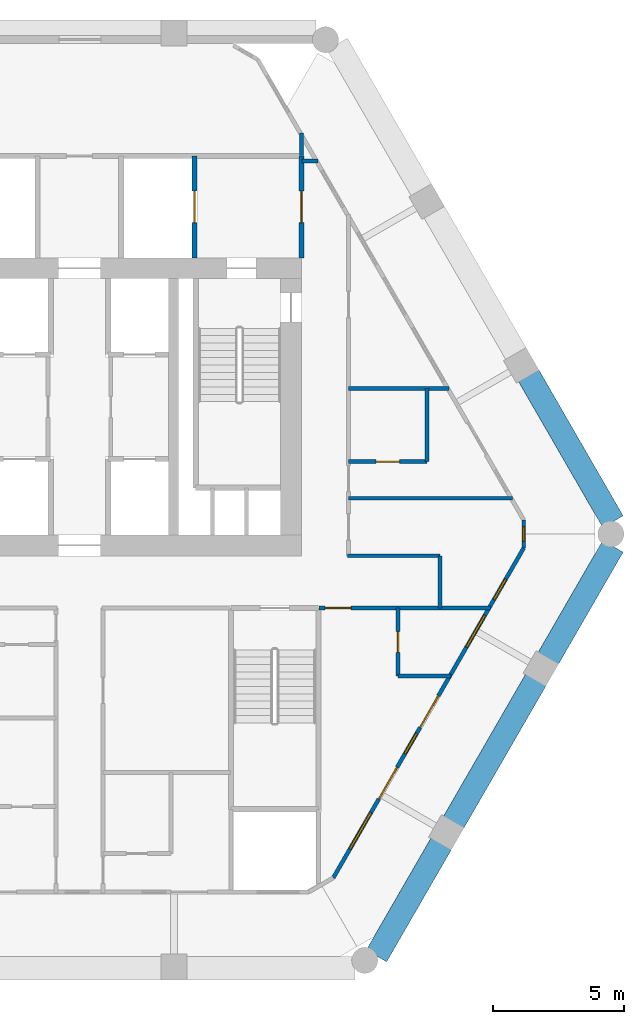
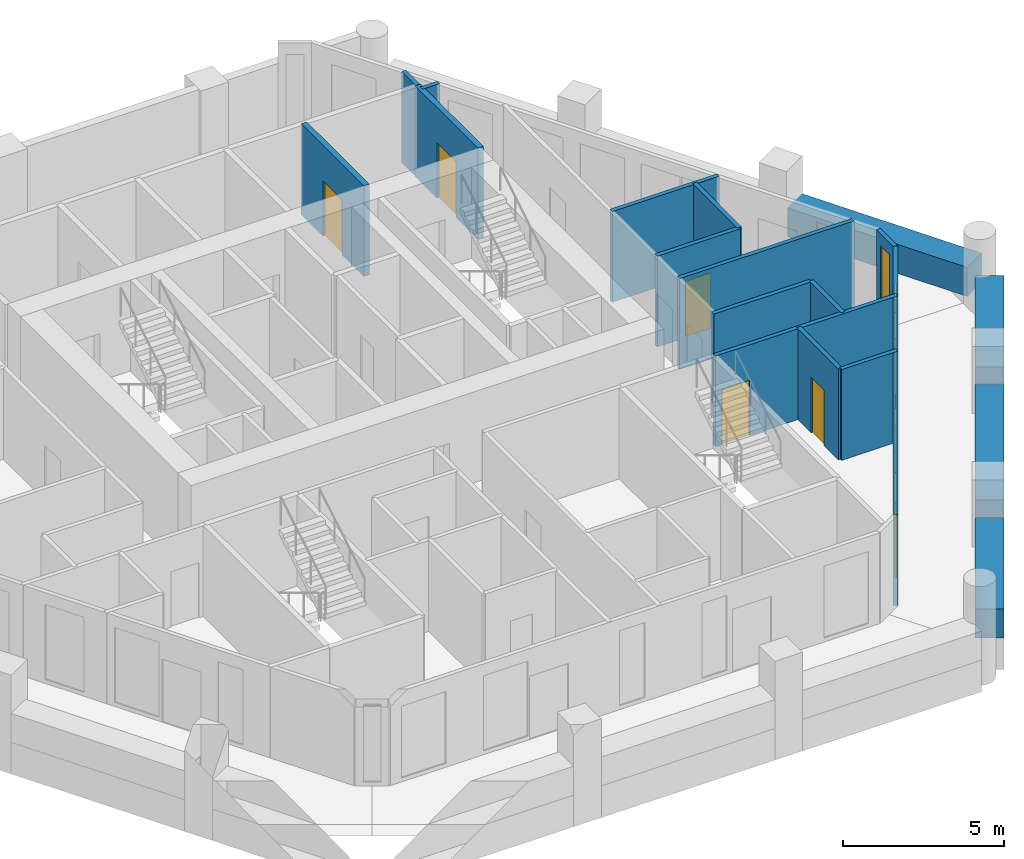
# One storey, part 5 of 7: 19 walls, 7 doors, 5 windows, 12 openings.
"""IFC4 building model written with IfcOpenShell, lengths in metres."""

from ifc_helpers import new_model, si_unit, direction, frame, frame_2d, origin, place, context, subcontext, project, spatial, rectangle, extrude, material, layer, layer_set, type_object, element, fill, save


model = new_model("IFC4")

# Units and contexts
model_context = context("Model", 3, precision=1e-05, world=origin(), true_north=direction((0.0, 1.0)))
body_context = subcontext(model_context, "Body", "Model", "MODEL_VIEW")
ifc_project = project(units=[si_unit("LENGTHUNIT", "METRE"), si_unit("AREAUNIT", "SQUARE_METRE"), si_unit("VOLUMEUNIT", "CUBIC_METRE"), si_unit("PLANEANGLEUNIT", "RADIAN"), si_unit("MASSUNIT", "GRAM", prefix="KILO")], contexts=[model_context])

# Site, building, storey
site_placement = place(None, origin())
site = spatial("IfcSite", under=ifc_project, at=site_placement, CompositionType="ELEMENT")
building_placement = place(site_placement, origin())
building = spatial("IfcBuilding", under=site, at=building_placement, Name="Ostrander Bayou Hotel Tower", CompositionType="ELEMENT")
storey_placement = place(building_placement, frame((0.0, 0.0, 190.75)))
storey = spatial("IfcBuildingStorey", under=building, at=storey_placement, Name="L47", CompositionType="ELEMENT", Elevation=190.75)

# Wall, openings, doors, windows
ifc_material_1 = material(Name="Aluminium framed insulated wall", Category="aluminium")
ifc_layer_1 = layer(ifc_material_1, 0.14990234375)
ifc_layer_set_1 = layer_set([ifc_layer_1], Name="GW1 glass-line wall 150 mm")
wall_type_1 = type_object("IfcWallType", Name="GW1 glass-line wall 150 mm", PredefinedType="SOLIDWALL", material=ifc_layer_set_1)
wall_1_placement = place(storey_placement, frame((9.7138671875, -14.025146484375, 0.0), z_axis=(0.0, 0.0, 1.0), x_axis=(0.500006098247, 0.866021882931, 0.0)))
wall_1 = element("IfcWall", 1, at=wall_1_placement, inside=storey, type_object=wall_type_1, Name="GW1 L47 SE 1", PredefinedType="SOLIDWALL", context=body_context, shape_type="SweptSolid", body=[
    extrude(rectangle(XDim=14.578369140625, YDim=0.14990234375, at=frame_2d((7.2890625, 0.0))), origin(), (0.0, 0.0, 1.0), 3.449951171875),
])
opening_1_placement = place(wall_1_placement, frame((1.289306640625, 0.0, 0.14990234375)))
opening_1 = element("IfcOpeningElement", 2, at=opening_1_placement, cuts=wall_1, Name="Opening W3", PredefinedType="OPENING", context=body_context, shape_type="SweptSolid", body=[
    extrude(rectangle(XDim=1.60009765625, YDim=2.85009765625, at=frame_2d((0.800048828125, 1.425048828125))), frame((0.0, 0.074951171875, 0.0), z_axis=(0.0, -1.0, 0.0), x_axis=(1.0, 0.0, 0.0)), (0.0, 0.0, 1.0), 0.14990234375),
])
opening_2_placement = place(wall_1_placement, frame((3.4892578125, 0.0, 0.0)))
opening_2 = element("IfcOpeningElement", 3, at=opening_2_placement, cuts=wall_1, Name="Opening T47-805", PredefinedType="OPENING", context=body_context, shape_type="SweptSolid", body=[
    extrude(rectangle(XDim=1.39990234375, YDim=2.39990234375, at=frame_2d((0.699951171875, 1.199951171875))), frame((0.0, 0.074951171875, 0.0), z_axis=(0.0, -1.0, 0.0), x_axis=(1.0, 0.0, 0.0)), (0.0, 0.0, 1.0), 0.14990234375),
])
opening_3_placement = place(wall_1_placement, frame((5.4892578125, 0.0, 0.14990234375)))
opening_3 = element("IfcOpeningElement", 4, at=opening_3_placement, cuts=wall_1, Name="Opening W17", PredefinedType="OPENING", context=body_context, shape_type="SweptSolid", body=[
    extrude(rectangle(XDim=0.89990234375, YDim=2.85009765625, at=frame_2d((0.449951171875, 1.425048828125))), frame((0.0, 0.074951171875, 0.0), z_axis=(0.0, -1.0, 0.0), x_axis=(1.0, 0.0, 0.0)), (0.0, 0.0, 1.0), 0.14990234375),
])
opening_4_placement = place(wall_1_placement, frame((6.646240234375, 0.0, 0.0)))
opening_4 = element("IfcOpeningElement", 5, at=opening_4_placement, cuts=wall_1, Name="Opening T47-806", PredefinedType="OPENING", context=body_context, shape_type="SweptSolid", body=[
    extrude(rectangle(XDim=1.39990234375, YDim=2.39990234375, at=frame_2d((0.699951171875, 1.199951171875))), frame((0.0, 0.074951171875, 0.0), z_axis=(0.0, -1.0, 0.0), x_axis=(1.0, 0.0, 0.0)), (0.0, 0.0, 1.0), 0.14990234375),
])
opening_5_placement = place(wall_1_placement, frame((12.29833984375, 0.0, 0.14990234375)))
opening_5 = element("IfcOpeningElement", 6, at=opening_5_placement, cuts=wall_1, Name="Opening W17", PredefinedType="OPENING", context=body_context, shape_type="SweptSolid", body=[
    extrude(rectangle(XDim=0.89990234375, YDim=2.85009765625, at=frame_2d((0.449951171875, 1.425048828125))), frame((0.0, 0.074951171875, 0.0), z_axis=(0.0, -1.0, 0.0), x_axis=(1.0, 0.0, 0.0)), (0.0, 0.0, 1.0), 0.14990234375),
])
opening_6_placement = place(wall_1_placement, frame((10.198486328125, 0.0, 0.14990234375)))
opening_6 = element("IfcOpeningElement", 7, at=opening_6_placement, cuts=wall_1, Name="Opening W13", PredefinedType="OPENING", context=body_context, shape_type="SweptSolid", body=[
    extrude(rectangle(XDim=1.39990234375, YDim=2.85009765625, at=frame_2d((0.699951171875, 1.425048828125))), frame((0.0, 0.074951171875, 0.0), z_axis=(0.0, -1.0, 0.0), x_axis=(1.0, 0.0, 0.0)), (0.0, 0.0, 1.0), 0.14990234375),
])
ifc_material_2 = material(Name="Aluminium and clear glass", Category="aluminium")
door_type_1 = type_object("IfcDoorType", Name="SD3 sliding glass door 1400 mm, zone 3", OperationType="SLIDING_TO_LEFT", PredefinedType="DOOR", material=ifc_material_2)
door_1_placement = place(opening_2_placement, origin())
door_1 = element("IfcDoor", 8, at=door_1_placement, inside=storey, type_object=door_type_1, Name="SD3 L47 SE 1", OperationType="SLIDING_TO_LEFT", OverallHeight=2.39990234375, OverallWidth=1.39990234375, PredefinedType="DOOR", context=body_context, shape_type="SweptSolid", body=[
    extrude(rectangle(XDim=1.39990234375, YDim=2.39990234375, at=frame_2d((0.699951171875, 1.199951171875))), frame((0.0, 0.02490234375, 0.0), z_axis=(0.0, -1.0, 0.0), x_axis=(1.0, 0.0, 0.0)), (0.0, 0.0, 1.0), 0.050048828125),
])
fill(opening_2, door_1)
door_2_placement = place(opening_4_placement, origin())
door_2 = element("IfcDoor", 9, at=door_2_placement, inside=storey, type_object=door_type_1, Name="SD3 L47 SE 2", OperationType="SLIDING_TO_RIGHT", OverallHeight=2.39990234375, OverallWidth=1.39990234375, PredefinedType="DOOR", context=body_context, shape_type="SweptSolid", body=[
    extrude(rectangle(XDim=1.39990234375, YDim=2.39990234375, at=frame_2d((0.699951171875, 1.199951171875))), frame((0.0, 0.02490234375, 0.0), z_axis=(0.0, -1.0, 0.0), x_axis=(1.0, 0.0, 0.0)), (0.0, 0.0, 1.0), 0.050048828125),
])
fill(opening_4, door_2)
ifc_material_3 = material(Name="Aluminium and clear glass", Category="aluminium")
window_type_1 = type_object("IfcWindowType", Name="W13 fixed window 1400 mm, bath bay, zone 3", PartitioningType="SINGLE_PANEL", PredefinedType="WINDOW", material=ifc_material_3)
window_1_placement = place(opening_6_placement, origin())
window_1 = element("IfcWindow", 10, at=window_1_placement, inside=storey, type_object=window_type_1, Name="W13 L47 SE 3", OverallHeight=2.85009765625, OverallWidth=1.39990234375, PartitioningType="SINGLE_PANEL", PredefinedType="WINDOW", context=body_context, shape_type="SweptSolid", body=[
    extrude(rectangle(XDim=1.39990234375, YDim=2.85009765625, at=frame_2d((0.699951171875, 1.425048828125))), frame((0.0, 0.030029296875, 0.0), z_axis=(0.0, -1.0, 0.0), x_axis=(1.0, 0.0, 0.0)), (0.0, 0.0, 1.0), 0.06005859375),
])
fill(opening_6, window_1)
ifc_material_4 = material(Name="Aluminium and clear glass", Category="aluminium")
window_type_2 = type_object("IfcWindowType", Name="W17 window 900 mm, zone 3", PartitioningType="SINGLE_PANEL", PredefinedType="WINDOW", material=ifc_material_4)
window_2_placement = place(opening_3_placement, origin())
window_2 = element("IfcWindow", 11, at=window_2_placement, inside=storey, type_object=window_type_2, Name="W17 L47 SE 2", OverallHeight=2.85009765625, OverallWidth=0.89990234375, PartitioningType="SINGLE_PANEL", PredefinedType="WINDOW", context=body_context, shape_type="SweptSolid", body=[
    extrude(rectangle(XDim=0.89990234375, YDim=2.85009765625, at=frame_2d((0.449951171875, 1.425048828125))), frame((0.0, 0.030029296875, 0.0), z_axis=(0.0, -1.0, 0.0), x_axis=(1.0, 0.0, 0.0)), (0.0, 0.0, 1.0), 0.06005859375),
])
fill(opening_3, window_2)
window_3_placement = place(opening_5_placement, origin())
window_3 = element("IfcWindow", 12, at=window_3_placement, inside=storey, type_object=window_type_2, Name="W17 L47 SE 3", OverallHeight=2.85009765625, OverallWidth=0.89990234375, PartitioningType="SINGLE_PANEL", PredefinedType="WINDOW", context=body_context, shape_type="SweptSolid", body=[
    extrude(rectangle(XDim=0.89990234375, YDim=2.85009765625, at=frame_2d((0.449951171875, 1.425048828125))), frame((0.0, 0.030029296875, 0.0), z_axis=(0.0, -1.0, 0.0), x_axis=(1.0, 0.0, 0.0)), (0.0, 0.0, 1.0), 0.06005859375),
])
fill(opening_5, window_3)
ifc_material_5 = material(Name="Aluminium and clear glass", Category="aluminium")
window_type_3 = type_object("IfcWindowType", Name="W3 fixed window 1600 mm, zone 3", PartitioningType="SINGLE_PANEL", PredefinedType="WINDOW", material=ifc_material_5)
window_4_placement = place(opening_1_placement, origin())
window_4 = element("IfcWindow", 13, at=window_4_placement, inside=storey, type_object=window_type_3, Name="W3 L47 SE 1", OverallHeight=2.85009765625, OverallWidth=1.60009765625, PartitioningType="SINGLE_PANEL", PredefinedType="WINDOW", context=body_context, shape_type="SweptSolid", body=[
    extrude(rectangle(XDim=1.60009765625, YDim=2.85009765625, at=frame_2d((0.800048828125, 1.425048828125))), frame((0.0, 0.030029296875, 0.0), z_axis=(0.0, -1.0, 0.0), x_axis=(1.0, 0.0, 0.0)), (0.0, 0.0, 1.0), 0.06005859375),
])
fill(opening_1, window_4)

# Wall, opening, window
wall_2_placement = place(storey_placement, frame((17.003173828125, -1.39990234375, 0.0), z_axis=(0.0, 0.0, 1.0), x_axis=(0.0, 1.0, 0.0)))
wall_2 = element("IfcWall", 14, at=wall_2_placement, inside=storey, type_object=wall_type_1, Name="GW1 L47 corner 5", PredefinedType="SOLIDWALL", context=body_context, shape_type="SweptSolid", body=[
    extrude(rectangle(XDim=1.065185546875, YDim=0.14990234375, at=frame_2d((0.53271484375, 0.0))), origin(), (0.0, 0.0, 1.0), 3.449951171875),
])
opening_7_placement = place(wall_2_placement, frame((0.257568359375, 0.0, 0.14990234375)))
opening_7 = element("IfcOpeningElement", 15, at=opening_7_placement, cuts=wall_2, Name="Opening W19", PredefinedType="OPENING", context=body_context, shape_type="SweptSolid", body=[
    extrude(rectangle(XDim=0.550048828125, YDim=2.85009765625, at=frame_2d((0.27490234375, 1.425048828125))), frame((0.0, 0.074951171875, 0.0), z_axis=(0.0, -1.0, 0.0), x_axis=(1.0, 0.0, 0.0)), (0.0, 0.0, 1.0), 0.14990234375),
])
ifc_material_6 = material(Name="Aluminium and clear glass", Category="aluminium")
window_type_4 = type_object("IfcWindowType", Name="W19 corner window 550 mm", PartitioningType="SINGLE_PANEL", PredefinedType="WINDOW", material=ifc_material_6)
window_5_placement = place(opening_7_placement, origin())
window_5 = element("IfcWindow", 16, at=window_5_placement, inside=storey, type_object=window_type_4, Name="W19 L47 corner 5", OverallHeight=2.85009765625, OverallWidth=0.550048828125, PartitioningType="SINGLE_PANEL", PredefinedType="WINDOW", context=body_context, shape_type="SweptSolid", body=[
    extrude(rectangle(XDim=0.550048828125, YDim=2.85009765625, at=frame_2d((0.27490234375, 1.425048828125))), frame((0.0, 0.030029296875, 0.0), z_axis=(0.0, -1.0, 0.0), x_axis=(1.0, 0.0, 0.0)), (0.0, 0.0, 1.0), 0.06005859375),
])
fill(opening_7, window_5)

# Walls
ifc_material_7 = material(Name="Concrete f'c 40 MPa", Category="concrete")
ifc_layer_2 = layer(ifc_material_7, 0.89990234375)
ifc_layer_set_2 = layer_set([ifc_layer_2], Name="PA1 stone-faced parapet 900 mm")
wall_type_2 = type_object("IfcWallType", Name="PA1 stone-faced parapet 900 mm", PredefinedType="PARAPET", material=ifc_layer_set_2)
wall_3_placement = place(storey_placement, frame((20.416748046875, -0.397705078125, 0.0), z_axis=(0.0, 0.0, 1.0), x_axis=(-0.499977443261, 0.866038426532, 0.0)))
element("IfcWall", 17, at=wall_3_placement, inside=storey, type_object=wall_type_2, Name="PA1 L47 NE-1", PredefinedType="PARAPET", context=body_context, shape_type="SweptSolid", body=[
    extrude(rectangle(XDim=6.464599609375, YDim=0.89990234375, at=frame_2d((3.232421875, 0.0))), origin(), (0.0, 0.0, 1.0), 1.10009765625),
])
ifc_material_8 = material(Name="Limestone masonry", Category="masonry")
ifc_layer_3 = layer(ifc_material_8, 0.89990234375)
ifc_layer_set_3 = layer_set([ifc_layer_3], Name="PA2 limestone parapet 900 mm")
wall_type_3 = type_object("IfcWallType", Name="PA2 limestone parapet 900 mm", PredefinedType="PARAPET", material=ifc_layer_set_3)
wall_4_placement = place(storey_placement, frame((11.3662109375, -17.012939453125, 0.0), z_axis=(0.0, 0.0, 1.0), x_axis=(0.499996428664, 0.866027465686, 0.0)))
element("IfcWall", 18, at=wall_4_placement, inside=storey, type_object=wall_type_3, Name="PA2 L47 SE-1", PredefinedType="PARAPET", context=body_context, shape_type="SweptSolid", body=[
    extrude(rectangle(XDim=4.96240234375, YDim=0.89990234375, at=frame_2d((2.481201171875, 0.0))), origin(), (0.0, 0.0, 1.0), 1.10009765625),
])
wall_5_placement = place(storey_placement, frame((14.3173828125, -11.9013671875, 0.0), z_axis=(0.0, 0.0, 1.0), x_axis=(0.500013351051, 0.866017695414, 0.0)))
element("IfcWall", 19, at=wall_5_placement, inside=storey, type_object=wall_type_3, Name="PA2 L47 SE-2", PredefinedType="PARAPET", context=body_context, shape_type="SweptSolid", body=[
    extrude(rectangle(XDim=6.296142578125, YDim=0.89990234375, at=frame_2d((3.14794921875, 0.0))), origin(), (0.0, 0.0, 1.0), 1.10009765625),
])
wall_6_placement = place(storey_placement, frame((17.935546875, -5.634521484375, 0.0), z_axis=(0.0, 0.0, 1.0), x_axis=(0.500017732557, 0.866015165646, 0.0)))
element("IfcWall", 20, at=wall_6_placement, inside=storey, type_object=wall_type_3, Name="PA2 L47 SE-3", PredefinedType="PARAPET", context=body_context, shape_type="SweptSolid", body=[
    extrude(rectangle(XDim=4.962158203125, YDim=0.89990234375, at=frame_2d((2.48095703125, 0.0))), origin(), (0.0, 0.0, 1.0), 1.10009765625),
])

# Wall, opening, door
ifc_material_9 = material(Name="Masonry block", Category="masonry")
ifc_layer_4 = layer(ifc_material_9, 0.199951171875)
ifc_layer_set_4 = layer_set([ifc_layer_4], Name="PT5 stair enclosure wall 200 mm masonry, 2 hour")
wall_type_4 = type_object("IfcWallType", Name="PT5 stair enclosure wall 200 mm masonry, 2 hour", PredefinedType="PARTITIONING", material=ifc_layer_set_4)
wall_7_placement = place(storey_placement, frame((8.5, 9.699951171875, 0.0), z_axis=(0.0, 0.0, 1.0), x_axis=(0.0, 1.0, 0.0)))
wall_7 = element("IfcWall", 21, at=wall_7_placement, inside=storey, type_object=wall_type_4, Name="cs:L47:029", PredefinedType="PARTITIONING", context=body_context, shape_type="SweptSolid", body=[
    extrude(rectangle(XDim=3.900146484375, YDim=0.199951171875, at=frame_2d((1.9501953125, 0.0))), origin(), (0.0, 0.0, 1.0), 3.449951171875),
])
opening_8_placement = place(wall_7_placement, frame((1.35009765625, 0.0, 0.0)))
opening_8 = element("IfcOpeningElement", 22, at=opening_8_placement, cuts=wall_7, Name="Opening T47-016", PredefinedType="OPENING", context=body_context, shape_type="SweptSolid", body=[
    extrude(rectangle(XDim=1.199951171875, YDim=2.10009765625, at=frame_2d((0.60009765625, 1.050048828125))), frame((0.0, 0.10009765625, 0.0), z_axis=(0.0, -1.0, 0.0), x_axis=(1.0, 0.0, 0.0)), (0.0, 0.0, 1.0), 0.199951171875),
])
ifc_material_10 = material(Name="Timber door leaf", Category="wood")
door_type_2 = type_object("IfcDoorType", Name="D7 lobby door 1200 x 2100 mm, 1 hour", OperationType="SINGLE_SWING_LEFT", PredefinedType="DOOR", material=ifc_material_10)
door_3_placement = place(opening_8_placement, origin())
door_3 = element("IfcDoor", 23, at=door_3_placement, inside=storey, type_object=door_type_2, Name="dr:L47:016", OperationType="SINGLE_SWING_LEFT", OverallHeight=2.10009765625, OverallWidth=1.199951171875, PredefinedType="DOOR", context=body_context, shape_type="SweptSolid", body=[
    extrude(rectangle(XDim=1.199951171875, YDim=2.10009765625, at=frame_2d((0.60009765625, 1.050048828125))), frame((0.0, 0.02490234375, 0.0), z_axis=(0.0, -1.0, 0.0), x_axis=(1.0, 0.0, 0.0)), (0.0, 0.0, 1.0), 0.050048828125),
])
fill(opening_8, door_3)

wall_8_placement = place(storey_placement, frame((4.39990234375, 9.699951171875, 0.0), z_axis=(0.0, 0.0, 1.0), x_axis=(0.0, 1.0, 0.0)))
wall_8 = element("IfcWall", 24, at=wall_8_placement, inside=storey, type_object=wall_type_4, Name="cs:L47:031", PredefinedType="PARTITIONING", context=body_context, shape_type="SweptSolid", body=[
    extrude(rectangle(XDim=3.900146484375, YDim=0.199951171875, at=frame_2d((1.9501953125, 0.0))), origin(), (0.0, 0.0, 1.0), 3.449951171875),
])
opening_9_placement = place(wall_8_placement, frame((1.35009765625, 0.0, 0.0)))
opening_9 = element("IfcOpeningElement", 25, at=opening_9_placement, cuts=wall_8, Name="Opening T47-015", PredefinedType="OPENING", context=body_context, shape_type="SweptSolid", body=[
    extrude(rectangle(XDim=1.199951171875, YDim=2.10009765625, at=frame_2d((0.60009765625, 1.050048828125))), frame((0.0, 0.10009765625, 0.0), z_axis=(0.0, -1.0, 0.0), x_axis=(1.0, 0.0, 0.0)), (0.0, 0.0, 1.0), 0.199951171875),
])
ifc_material_11 = material(Name="Stainless steel sliding door", Category="steel")
door_type_3 = type_object("IfcDoorType", Name="LD1 lift landing door 1200 x 2100 mm", OperationType="SINGLE_SWING_LEFT", PredefinedType="DOOR", material=ifc_material_11)
door_4_placement = place(opening_9_placement, origin())
door_4 = element("IfcDoor", 26, at=door_4_placement, inside=storey, type_object=door_type_3, Name="dr:L47:015", OperationType="SLIDING_TO_LEFT", OverallHeight=2.10009765625, OverallWidth=1.199951171875, PredefinedType="DOOR", context=body_context, shape_type="SweptSolid", body=[
    extrude(rectangle(XDim=1.199951171875, YDim=2.10009765625, at=frame_2d((0.60009765625, 1.050048828125))), frame((0.0, 0.02490234375, 0.0), z_axis=(0.0, -1.0, 0.0), x_axis=(1.0, 0.0, 0.0)), (0.0, 0.0, 1.0), 0.050048828125),
])
fill(opening_9, door_4)

# Wall
ifc_material_12 = material(Name="Gypsum board partition", Category="finish")
ifc_layer_5 = layer(ifc_material_12, 0.14990234375)
ifc_layer_set_5 = layer_set([ifc_layer_5], Name="PT8 service band wall 150 mm, 1 hour")
wall_type_5 = type_object("IfcWallType", Name="PT8 service band wall 150 mm, 1 hour", PredefinedType="PARTITIONING", material=ifc_layer_set_5)
wall_9_placement = place(storey_placement, frame((12.195068359375, -6.300048828125, 0.0), z_axis=(0.0, 0.0, 1.0), x_axis=(1.0, 0.0, 0.0)))
element("IfcWall", 27, at=wall_9_placement, inside=storey, type_object=wall_type_5, Name="gw:L47:007", PredefinedType="PARTITIONING", context=body_context, shape_type="SweptSolid", body=[
    extrude(rectangle(XDim=2.031005859375, YDim=0.14990234375, at=frame_2d((1.015625, 0.0))), origin(), (0.0, 0.0, 1.0), 3.449951171875),
])

# Wall, opening, door
wall_10_placement = place(storey_placement, frame((9.159912109375, -3.699951171875, 0.0), z_axis=(0.0, 0.0, 1.0), x_axis=(1.0, 0.0, 0.0)))
wall_10 = element("IfcWall", 28, at=wall_10_placement, inside=storey, type_object=wall_type_5, Name="gw:L47:012", PredefinedType="PARTITIONING", context=body_context, shape_type="SweptSolid", body=[
    extrude(rectangle(XDim=6.567138671875, YDim=0.14990234375, at=frame_2d((3.28369140625, 0.0))), origin(), (0.0, 0.0, 1.0), 3.449951171875),
])
opening_10_placement = place(wall_10_placement, frame((0.239990234375, 0.0, 0.0)))
opening_10 = element("IfcOpeningElement", 29, at=opening_10_placement, cuts=wall_10, Name="Opening T47-409", PredefinedType="OPENING", context=body_context, shape_type="SweptSolid", body=[
    extrude(rectangle(XDim=1.0, YDim=2.10009765625, at=frame_2d((0.5, 1.050048828125))), frame((0.0, 0.074951171875, 0.0), z_axis=(0.0, -1.0, 0.0), x_axis=(1.0, 0.0, 0.0)), (0.0, 0.0, 1.0), 0.14990234375),
])
ifc_material_13 = material(Name="Timber door leaf", Category="wood")
door_type_4 = type_object("IfcDoorType", Name="D1 guest room door 1000 x 2100 mm, 30 minute", OperationType="SINGLE_SWING_LEFT", PredefinedType="DOOR", material=ifc_material_13)
door_5_placement = place(opening_10_placement, origin())
door_5 = element("IfcDoor", 30, at=door_5_placement, inside=storey, type_object=door_type_4, Name="dr:L47:409", OperationType="SINGLE_SWING_LEFT", OverallHeight=2.10009765625, OverallWidth=1.0, PredefinedType="DOOR", context=body_context, shape_type="SweptSolid", body=[
    extrude(rectangle(XDim=1.0, YDim=2.10009765625, at=frame_2d((0.5, 1.050048828125))), frame((0.0, 0.02490234375, 0.0), z_axis=(0.0, -1.0, 0.0), x_axis=(1.0, 0.0, 0.0)), (0.0, 0.0, 1.0), 0.050048828125),
])
fill(opening_10, door_5)

# Walls
wall_11_placement = place(storey_placement, frame((10.260009765625, -1.699951171875, 0.0), z_axis=(0.0, 0.0, 1.0), x_axis=(1.0, 0.0, 0.0)))
element("IfcWall", 31, at=wall_11_placement, inside=storey, type_object=wall_type_5, Name="gw:L47:014", PredefinedType="PARTITIONING", context=body_context, shape_type="SweptSolid", body=[
    extrude(rectangle(XDim=3.5400390625, YDim=0.14990234375, at=frame_2d((1.77001953125, 0.0))), origin(), (0.0, 0.0, 1.0), 3.449951171875),
])
wall_12_placement = place(storey_placement, frame((10.300048828125, 0.5, 0.0), z_axis=(0.0, 0.0, 1.0), x_axis=(1.0, 0.0, 0.0)))
element("IfcWall", 32, at=wall_12_placement, inside=storey, type_object=wall_type_5, Name="gw:L47:016", PredefinedType="PARTITIONING", context=body_context, shape_type="SweptSolid", body=[
    extrude(rectangle(XDim=6.27294921875, YDim=0.14990234375, at=frame_2d((3.136474609375, 0.0))), origin(), (0.0, 0.0, 1.0), 3.449951171875),
])

# Wall, opening, door
wall_13_placement = place(storey_placement, frame((10.300048828125, 1.89990234375, 0.0), z_axis=(0.0, 0.0, 1.0), x_axis=(1.0, 0.0, 0.0)))
wall_13 = element("IfcWall", 33, at=wall_13_placement, inside=storey, type_object=wall_type_5, Name="gw:L47:017", PredefinedType="PARTITIONING", context=body_context, shape_type="SweptSolid", body=[
    extrude(rectangle(XDim=3.0, YDim=0.14990234375, at=frame_2d((1.5, 0.0))), origin(), (0.0, 0.0, 1.0), 3.449951171875),
])
opening_11_placement = place(wall_13_placement, frame((1.050048828125, 0.0, 0.0)))
opening_11 = element("IfcOpeningElement", 34, at=opening_11_placement, cuts=wall_13, Name="Opening T47-416", PredefinedType="OPENING", context=body_context, shape_type="SweptSolid", body=[
    extrude(rectangle(XDim=0.89990234375, YDim=2.10009765625, at=frame_2d((0.449951171875, 1.050048828125))), frame((0.0, 0.074951171875, 0.0), z_axis=(0.0, -1.0, 0.0), x_axis=(1.0, 0.0, 0.0)), (0.0, 0.0, 1.0), 0.14990234375),
])
ifc_material_14 = material(Name="Timber door leaf", Category="wood")
door_type_5 = type_object("IfcDoorType", Name="D14 bathroom door 900 x 2100 mm", OperationType="SINGLE_SWING_LEFT", PredefinedType="DOOR", material=ifc_material_14)
door_6_placement = place(opening_11_placement, origin())
door_6 = element("IfcDoor", 35, at=door_6_placement, inside=storey, type_object=door_type_5, Name="dr:L47:416", OperationType="SINGLE_SWING_LEFT", OverallHeight=2.10009765625, OverallWidth=0.89990234375, PredefinedType="DOOR", context=body_context, shape_type="SweptSolid", body=[
    extrude(rectangle(XDim=0.89990234375, YDim=2.10009765625, at=frame_2d((0.449951171875, 1.050048828125))), frame((0.0, 0.02490234375, 0.0), z_axis=(0.0, -1.0, 0.0), x_axis=(1.0, 0.0, 0.0)), (0.0, 0.0, 1.0), 0.050048828125),
])
fill(opening_11, door_6)

# Walls
wall_14_placement = place(storey_placement, frame((10.300048828125, 4.699951171875, 0.0), z_axis=(0.0, 0.0, 1.0), x_axis=(1.0, 0.0, 0.0)))
element("IfcWall", 36, at=wall_14_placement, inside=storey, type_object=wall_type_5, Name="gw:L47:018", PredefinedType="PARTITIONING", context=body_context, shape_type="SweptSolid", body=[
    extrude(rectangle(XDim=3.847900390625, YDim=0.14990234375, at=frame_2d((1.923828125, 0.0))), origin(), (0.0, 0.0, 1.0), 3.449951171875),
])
wall_15_placement = place(storey_placement, frame((8.510009765625, 13.39990234375, 0.0), z_axis=(0.0, 0.0, 1.0), x_axis=(1.0, 0.0, 0.0)))
element("IfcWall", 37, at=wall_15_placement, inside=storey, type_object=wall_type_5, Name="gw:L47:021", PredefinedType="PARTITIONING", context=body_context, shape_type="SweptSolid", body=[
    extrude(rectangle(XDim=0.614990234375, YDim=0.14990234375, at=frame_2d((0.3076171875, 0.0))), origin(), (0.0, 0.0, 1.0), 3.449951171875),
])
wall_16_placement = place(storey_placement, frame((13.800048828125, -3.699951171875, 0.0), z_axis=(0.0, 0.0, 1.0), x_axis=(0.0, 1.0, 0.0)))
element("IfcWall", 38, at=wall_16_placement, inside=storey, type_object=wall_type_5, Name="gw:L47:022", PredefinedType="PARTITIONING", context=body_context, shape_type="SweptSolid", body=[
    extrude(rectangle(XDim=2.0, YDim=0.14990234375, at=frame_2d((1.0, 0.0))), origin(), (0.0, 0.0, 1.0), 3.449951171875),
])
wall_17_placement = place(storey_placement, frame((13.300048828125, 1.89990234375, 0.0), z_axis=(0.0, 0.0, 1.0), x_axis=(0.0, 1.0, 0.0)))
element("IfcWall", 39, at=wall_17_placement, inside=storey, type_object=wall_type_5, Name="gw:L47:023", PredefinedType="PARTITIONING", context=body_context, shape_type="SweptSolid", body=[
    extrude(rectangle(XDim=2.800048828125, YDim=0.14990234375, at=frame_2d((1.39990234375, 0.0))), origin(), (0.0, 0.0, 1.0), 3.449951171875),
])

# Wall, opening, door
wall_18_placement = place(storey_placement, frame((12.195068359375, -6.300048828125, 0.0), z_axis=(0.0, 0.0, 1.0), x_axis=(0.0, 1.0, 0.0)))
wall_18 = element("IfcWall", 40, at=wall_18_placement, inside=storey, type_object=wall_type_5, Name="gw:L47:024", PredefinedType="PARTITIONING", context=body_context, shape_type="SweptSolid", body=[
    extrude(rectangle(XDim=2.60009765625, YDim=0.14990234375, at=frame_2d((1.300048828125, 0.0))), origin(), (0.0, 0.0, 1.0), 3.449951171875),
])
opening_12_placement = place(wall_18_placement, frame((0.89990234375, 0.0, 0.0)))
opening_12 = element("IfcOpeningElement", 41, at=opening_12_placement, cuts=wall_18, Name="Opening T47-410", PredefinedType="OPENING", context=body_context, shape_type="SweptSolid", body=[
    extrude(rectangle(XDim=0.800048828125, YDim=2.10009765625, at=frame_2d((0.39990234375, 1.050048828125))), frame((0.0, 0.074951171875, 0.0), z_axis=(0.0, -1.0, 0.0), x_axis=(1.0, 0.0, 0.0)), (0.0, 0.0, 1.0), 0.14990234375),
])
ifc_material_15 = material(Name="Timber door leaf", Category="wood")
door_type_6 = type_object("IfcDoorType", Name="D2 bathroom door 800 x 2100 mm", OperationType="SINGLE_SWING_LEFT", PredefinedType="DOOR", material=ifc_material_15)
door_7_placement = place(opening_12_placement, origin())
door_7 = element("IfcDoor", 42, at=door_7_placement, inside=storey, type_object=door_type_6, Name="dr:L47:410", OperationType="SINGLE_SWING_RIGHT", OverallHeight=2.10009765625, OverallWidth=0.800048828125, PredefinedType="DOOR", context=body_context, shape_type="SweptSolid", body=[
    extrude(rectangle(XDim=0.800048828125, YDim=2.10009765625, at=frame_2d((0.39990234375, 1.050048828125))), frame((0.0, 0.02490234375, 0.0), z_axis=(0.0, -1.0, 0.0), x_axis=(1.0, 0.0, 0.0)), (0.0, 0.0, 1.0), 0.050048828125),
])
fill(opening_12, door_7)

# Wall
wall_19_placement = place(storey_placement, frame((8.5, 13.610107421875, 0.0), z_axis=(0.0, 0.0, 1.0), x_axis=(0.0, 1.0, 0.0)))
element("IfcWall", 43, at=wall_19_placement, inside=storey, type_object=wall_type_5, Name="gw:L47:027", PredefinedType="PARTITIONING", context=body_context, shape_type="SweptSolid", body=[
    extrude(rectangle(XDim=0.872802734375, YDim=0.14990234375, at=frame_2d((0.4365234375, 0.0))), origin(), (0.0, 0.0, 1.0), 3.449951171875),
])

save(model, "model.ifc")
